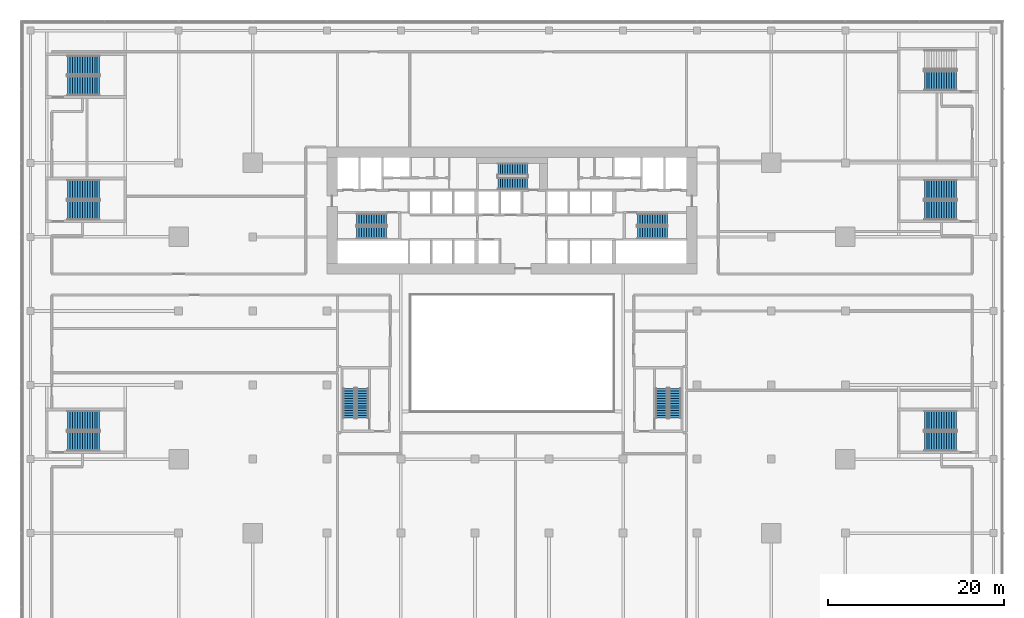
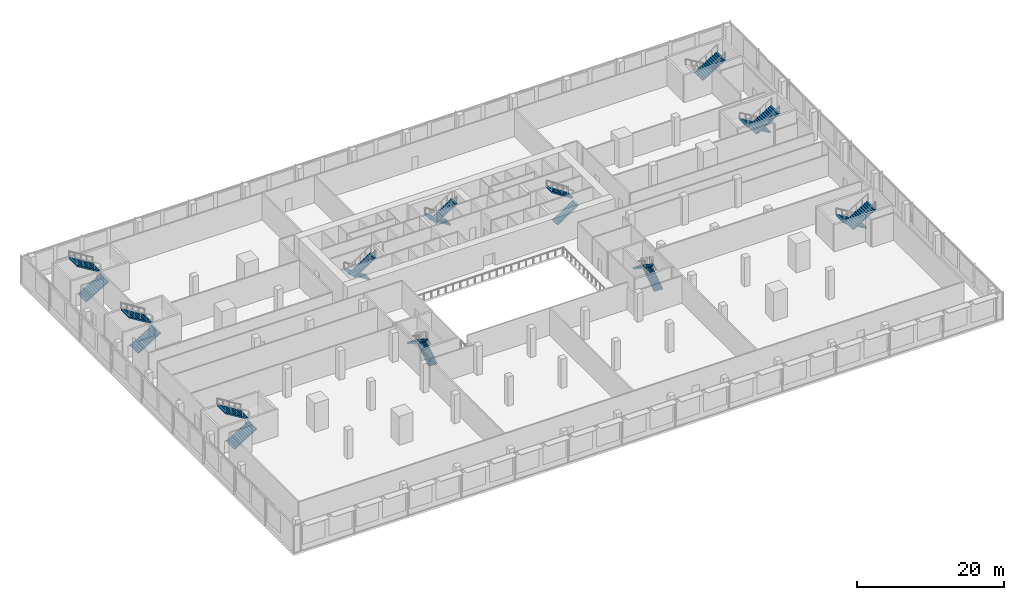
# One storey, part 35 of 39: 21 stair flights, 11 elements without a shape of their own.
"""IFC4 building model written with IfcOpenShell, lengths in metres."""

from ifc_helpers import new_model, si_unit, direction, frame, origin, place, context, subcontext, project, spatial, polyline, outline, extrude, material, type_object, element, aggregate, save


model = new_model("IFC4")

# Units and contexts
model_context = context("Model", 3, precision=1e-05, world=origin(), true_north=direction((0.0, 1.0)))
body_context = subcontext(model_context, "Body", "Model", "MODEL_VIEW")
ifc_project = project(units=[si_unit("LENGTHUNIT", "METRE"), si_unit("AREAUNIT", "SQUARE_METRE"), si_unit("VOLUMEUNIT", "CUBIC_METRE"), si_unit("PLANEANGLEUNIT", "RADIAN"), si_unit("MASSUNIT", "GRAM", prefix="KILO")], contexts=[model_context])

# Site, building, storey
site_placement = place(None, origin())
site = spatial("IfcSite", under=ifc_project, at=site_placement, CompositionType="ELEMENT")
building_placement = place(site_placement, origin())
building = spatial("IfcBuilding", under=site, at=building_placement, Name="Saffron Gate Tower", CompositionType="ELEMENT")
storey_placement = place(building_placement, frame((0.0, 0.0, 14.39990234375)))
storey = spatial("IfcBuildingStorey", under=building, at=storey_placement, Name="L02", CompositionType="ELEMENT", Elevation=14.39990234375)

# Stair, stair flights
ifc_material = material(Name="Concrete C40", Category="concrete")
stair_type_1 = type_object("IfcStairType", Name="ST5 Stair 1350 wide, 26 risers of 185", PredefinedType="HALF_TURN_STAIR", material=ifc_material)
stair_1_placement = place(storey_placement, origin())
stair_1 = element("IfcStair", 1, at=stair_1_placement, inside=storey, type_object=stair_type_1, Name="L02 Exit stair A", PredefinedType="HALF_TURN_STAIR")
stair_flight_type_1 = type_object("IfcStairFlightType", Name="SF4 Stair flight 1350 wide, riser 185 going 280", PredefinedType="STRAIGHT", material=ifc_material)
stair_flight_1_placement = place(storey_placement, frame((73.35009765625, 67.375, 0.0), z_axis=(0.0, 0.0, 1.0), x_axis=(-1.0, 0.0, 0.0)))
stair_flight_1 = element("IfcStairFlight", 2, at=stair_flight_1_placement, type_object=stair_flight_type_1, Name="ST-A flight 1", NumberOfRisers=13, NumberOfTreads=12, PredefinedType="STRAIGHT", RiserHeight=0.184615385, TreadLength=0.28, context=body_context, shape_type="SweptSolid", body=[
    extrude(outline(polyline([(0.0, 0.0), (0.0, 0.1845703125), (0.280029296875, 0.1845703125), (0.280029296875, 0.369140625), (0.56005859375, 0.369140625), (0.56005859375, 0.553955078125), (0.840087890625, 0.553955078125), (0.840087890625, 0.738525390625), (1.1201171875, 0.738525390625), (1.1201171875, 0.923095703125), (1.39990234375, 0.923095703125), (1.39990234375, 1.107666015625), (1.679931640625, 1.107666015625), (1.679931640625, 1.292236328125), (1.9599609375, 1.292236328125), (1.9599609375, 1.476806640625), (2.239990234375, 1.476806640625), (2.239990234375, 1.66162109375), (2.52001953125, 1.66162109375), (2.52001953125, 1.84619140625), (2.800048828125, 1.84619140625), (2.800048828125, 2.03076171875), (3.080078125, 2.03076171875), (3.080078125, 2.21533203125), (3.360107421875, 2.21533203125), (3.360107421875, 2.39990234375), (3.360107421875, 2.035888671875), (0.272216796875, 0.0), (0.0, 0.0)])), frame((0.0, 0.675048828125, 0.0), z_axis=(0.0, -1.0, 0.0), x_axis=(1.0, 0.0, 0.0)), (0.0, 0.0, 1.0), 1.35009765625),
])
stair_flight_2_placement = place(storey_placement, frame((69.989990234375, 65.875, 2.400146484375), z_axis=(0.0, 0.0, 1.0), x_axis=(1.0, 0.0, 0.0)))
stair_flight_2 = element("IfcStairFlight", 3, at=stair_flight_2_placement, type_object=stair_flight_type_1, Name="ST-A flight 2", NumberOfRisers=13, NumberOfTreads=12, PredefinedType="STRAIGHT", RiserHeight=0.184615385, TreadLength=0.28, context=body_context, shape_type="SweptSolid", body=[
    extrude(outline(polyline([(0.0, 0.0), (0.0, 0.1845703125), (0.280029296875, 0.1845703125), (0.280029296875, 0.369140625), (0.56005859375, 0.369140625), (0.56005859375, 0.553955078125), (0.840087890625, 0.553955078125), (0.840087890625, 0.738525390625), (1.1201171875, 0.738525390625), (1.1201171875, 0.923095703125), (1.39990234375, 0.923095703125), (1.39990234375, 1.107666015625), (1.679931640625, 1.107666015625), (1.679931640625, 1.292236328125), (1.9599609375, 1.292236328125), (1.9599609375, 1.476806640625), (2.239990234375, 1.476806640625), (2.239990234375, 1.66162109375), (2.52001953125, 1.66162109375), (2.52001953125, 1.84619140625), (2.800048828125, 1.84619140625), (2.800048828125, 2.03076171875), (3.080078125, 2.03076171875), (3.080078125, 2.21533203125), (3.360107421875, 2.21533203125), (3.360107421875, 2.39990234375), (3.360107421875, 2.035888671875), (0.272216796875, 0.0), (0.0, 0.0)])), frame((0.0, 0.675048828125, 0.0), z_axis=(0.0, -1.0, 0.0), x_axis=(1.0, 0.0, 0.0)), (0.0, 0.0, 1.0), 1.35009765625),
])
aggregate(stair_1, [stair_flight_1, stair_flight_2])

stair_2_placement = place(storey_placement, origin())
stair_2 = element("IfcStair", 4, at=stair_2_placement, inside=storey, type_object=stair_type_1, Name="L02 Exit stair B", PredefinedType="HALF_TURN_STAIR")
stair_flight_3_placement = place(storey_placement, frame((101.85009765625, 65.875, 0.0), z_axis=(0.0, 0.0, 1.0), x_axis=(1.0, 0.0, 0.0)))
stair_flight_3 = element("IfcStairFlight", 5, at=stair_flight_3_placement, type_object=stair_flight_type_1, Name="ST-B flight 1", NumberOfRisers=13, NumberOfTreads=12, PredefinedType="STRAIGHT", RiserHeight=0.184615385, TreadLength=0.28, context=body_context, shape_type="SweptSolid", body=[
    extrude(outline(polyline([(0.0, 0.0), (0.0, 0.1845703125), (0.280029296875, 0.1845703125), (0.280029296875, 0.369140625), (0.56005859375, 0.369140625), (0.56005859375, 0.553955078125), (0.840087890625, 0.553955078125), (0.840087890625, 0.738525390625), (1.1201171875, 0.738525390625), (1.1201171875, 0.923095703125), (1.39990234375, 0.923095703125), (1.39990234375, 1.107666015625), (1.679931640625, 1.107666015625), (1.679931640625, 1.292236328125), (1.9599609375, 1.292236328125), (1.9599609375, 1.476806640625), (2.239990234375, 1.476806640625), (2.239990234375, 1.66162109375), (2.52001953125, 1.66162109375), (2.52001953125, 1.84619140625), (2.800048828125, 1.84619140625), (2.800048828125, 2.03076171875), (3.080078125, 2.03076171875), (3.080078125, 2.21533203125), (3.360107421875, 2.21533203125), (3.360107421875, 2.39990234375), (3.360107421875, 2.035888671875), (0.272216796875, 0.0), (0.0, 0.0)])), frame((0.0, 0.675048828125, 0.0), z_axis=(0.0, -1.0, 0.0), x_axis=(1.0, 0.0, 0.0)), (0.0, 0.0, 1.0), 1.35009765625),
])
stair_flight_4_placement = place(storey_placement, frame((105.2099609375, 67.375, 2.400146484375), z_axis=(0.0, 0.0, 1.0), x_axis=(-1.0, 0.0, 0.0)))
stair_flight_4 = element("IfcStairFlight", 6, at=stair_flight_4_placement, type_object=stair_flight_type_1, Name="ST-B flight 2", NumberOfRisers=13, NumberOfTreads=12, PredefinedType="STRAIGHT", RiserHeight=0.184615385, TreadLength=0.28, context=body_context, shape_type="SweptSolid", body=[
    extrude(outline(polyline([(0.0, 0.0), (0.0, 0.1845703125), (0.280029296875, 0.1845703125), (0.280029296875, 0.369140625), (0.56005859375, 0.369140625), (0.56005859375, 0.553955078125), (0.840087890625, 0.553955078125), (0.840087890625, 0.738525390625), (1.1201171875, 0.738525390625), (1.1201171875, 0.923095703125), (1.39990234375, 0.923095703125), (1.39990234375, 1.107666015625), (1.679931640625, 1.107666015625), (1.679931640625, 1.292236328125), (1.9599609375, 1.292236328125), (1.9599609375, 1.476806640625), (2.239990234375, 1.476806640625), (2.239990234375, 1.66162109375), (2.52001953125, 1.66162109375), (2.52001953125, 1.84619140625), (2.800048828125, 1.84619140625), (2.800048828125, 2.03076171875), (3.080078125, 2.03076171875), (3.080078125, 2.21533203125), (3.360107421875, 2.21533203125), (3.360107421875, 2.39990234375), (3.360107421875, 2.035888671875), (0.272216796875, 0.0), (0.0, 0.0)])), frame((0.0, 0.675048828125, 0.0), z_axis=(0.0, -1.0, 0.0), x_axis=(1.0, 0.0, 0.0)), (0.0, 0.0, 1.0), 1.35009765625),
])
aggregate(stair_2, [stair_flight_3, stair_flight_4])

stair_3_placement = place(storey_placement, origin())
stair_3 = element("IfcStair", 7, at=stair_3_placement, inside=storey, type_object=stair_type_1, Name="L02 Exit stair C", PredefinedType="HALF_TURN_STAIR")
stair_flight_5_placement = place(storey_placement, frame((89.35009765625, 73.074951171875, 0.0), z_axis=(0.0, 0.0, 1.0), x_axis=(-1.0, 0.0, 0.0)))
stair_flight_5 = element("IfcStairFlight", 8, at=stair_flight_5_placement, type_object=stair_flight_type_1, Name="ST-C flight 1", NumberOfRisers=13, NumberOfTreads=12, PredefinedType="STRAIGHT", RiserHeight=0.184615385, TreadLength=0.28, context=body_context, shape_type="SweptSolid", body=[
    extrude(outline(polyline([(0.0, 0.0), (0.0, 0.1845703125), (0.280029296875, 0.1845703125), (0.280029296875, 0.369140625), (0.56005859375, 0.369140625), (0.56005859375, 0.553955078125), (0.840087890625, 0.553955078125), (0.840087890625, 0.738525390625), (1.1201171875, 0.738525390625), (1.1201171875, 0.923095703125), (1.39990234375, 0.923095703125), (1.39990234375, 1.107666015625), (1.679931640625, 1.107666015625), (1.679931640625, 1.292236328125), (1.9599609375, 1.292236328125), (1.9599609375, 1.476806640625), (2.239990234375, 1.476806640625), (2.239990234375, 1.66162109375), (2.52001953125, 1.66162109375), (2.52001953125, 1.84619140625), (2.800048828125, 1.84619140625), (2.800048828125, 2.03076171875), (3.080078125, 2.03076171875), (3.080078125, 2.21533203125), (3.360107421875, 2.21533203125), (3.360107421875, 2.39990234375), (3.360107421875, 2.035888671875), (0.272216796875, 0.0), (0.0, 0.0)])), frame((0.0, 0.675048828125, 0.0), z_axis=(0.0, -1.0, 0.0), x_axis=(1.0, 0.0, 0.0)), (0.0, 0.0, 1.0), 1.35009765625),
])
stair_flight_6_placement = place(storey_placement, frame((85.989990234375, 71.47509765625, 2.400146484375), z_axis=(0.0, 0.0, 1.0), x_axis=(1.0, 0.0, 0.0)))
stair_flight_6 = element("IfcStairFlight", 9, at=stair_flight_6_placement, type_object=stair_flight_type_1, Name="ST-C flight 2", NumberOfRisers=13, NumberOfTreads=12, PredefinedType="STRAIGHT", RiserHeight=0.184615385, TreadLength=0.28, context=body_context, shape_type="SweptSolid", body=[
    extrude(outline(polyline([(0.0, 0.0), (0.0, 0.1845703125), (0.280029296875, 0.1845703125), (0.280029296875, 0.369140625), (0.56005859375, 0.369140625), (0.56005859375, 0.553955078125), (0.840087890625, 0.553955078125), (0.840087890625, 0.738525390625), (1.1201171875, 0.738525390625), (1.1201171875, 0.923095703125), (1.39990234375, 0.923095703125), (1.39990234375, 1.107666015625), (1.679931640625, 1.107666015625), (1.679931640625, 1.292236328125), (1.9599609375, 1.292236328125), (1.9599609375, 1.476806640625), (2.239990234375, 1.476806640625), (2.239990234375, 1.66162109375), (2.52001953125, 1.66162109375), (2.52001953125, 1.84619140625), (2.800048828125, 1.84619140625), (2.800048828125, 2.03076171875), (3.080078125, 2.03076171875), (3.080078125, 2.21533203125), (3.360107421875, 2.21533203125), (3.360107421875, 2.39990234375), (3.360107421875, 2.035888671875), (0.272216796875, 0.0), (0.0, 0.0)])), frame((0.0, 0.675048828125, 0.0), z_axis=(0.0, -1.0, 0.0), x_axis=(1.0, 0.0, 0.0)), (0.0, 0.0, 1.0), 1.35009765625),
])
aggregate(stair_3, [stair_flight_5, stair_flight_6])

stair_4_placement = place(storey_placement, origin())
stair_4 = element("IfcStair", 10, at=stair_4_placement, inside=storey, type_object=stair_type_1, Name="L02 Exit stair D", PredefinedType="HALF_TURN_STAIR")
stair_flight_7_placement = place(storey_placement, frame((70.625, 44.85009765625, 0.0), z_axis=(0.0, 0.0, 1.0), x_axis=(0.0, 1.0, 0.0)))
stair_flight_7 = element("IfcStairFlight", 11, at=stair_flight_7_placement, type_object=stair_flight_type_1, Name="ST-D flight 1", NumberOfRisers=13, NumberOfTreads=12, PredefinedType="STRAIGHT", RiserHeight=0.184615385, TreadLength=0.28, context=body_context, shape_type="SweptSolid", body=[
    extrude(outline(polyline([(0.0, 0.0), (0.0, 0.1845703125), (0.280029296875, 0.1845703125), (0.280029296875, 0.369140625), (0.56005859375, 0.369140625), (0.56005859375, 0.553955078125), (0.840087890625, 0.553955078125), (0.840087890625, 0.738525390625), (1.1201171875, 0.738525390625), (1.1201171875, 0.923095703125), (1.39990234375, 0.923095703125), (1.39990234375, 1.107666015625), (1.679931640625, 1.107666015625), (1.679931640625, 1.292236328125), (1.9599609375, 1.292236328125), (1.9599609375, 1.476806640625), (2.239990234375, 1.476806640625), (2.239990234375, 1.66162109375), (2.52001953125, 1.66162109375), (2.52001953125, 1.84619140625), (2.800048828125, 1.84619140625), (2.800048828125, 2.03076171875), (3.080078125, 2.03076171875), (3.080078125, 2.21533203125), (3.360107421875, 2.21533203125), (3.360107421875, 2.39990234375), (3.360107421875, 2.035888671875), (0.272216796875, 0.0), (0.0, 0.0)])), frame((0.0, 0.675048828125, 0.0), z_axis=(0.0, -1.0, 0.0), x_axis=(1.0, 0.0, 0.0)), (0.0, 0.0, 1.0), 1.35009765625),
])
stair_flight_8_placement = place(storey_placement, frame((69.125, 48.2099609375, 2.400146484375), z_axis=(0.0, 0.0, 1.0), x_axis=(0.0, -1.0, 0.0)))
stair_flight_8 = element("IfcStairFlight", 12, at=stair_flight_8_placement, type_object=stair_flight_type_1, Name="ST-D flight 2", NumberOfRisers=13, NumberOfTreads=12, PredefinedType="STRAIGHT", RiserHeight=0.184615385, TreadLength=0.28, context=body_context, shape_type="SweptSolid", body=[
    extrude(outline(polyline([(0.0, 0.0), (0.0, 0.1845703125), (0.280029296875, 0.1845703125), (0.280029296875, 0.369140625), (0.56005859375, 0.369140625), (0.56005859375, 0.553955078125), (0.840087890625, 0.553955078125), (0.840087890625, 0.738525390625), (1.1201171875, 0.738525390625), (1.1201171875, 0.923095703125), (1.39990234375, 0.923095703125), (1.39990234375, 1.107666015625), (1.679931640625, 1.107666015625), (1.679931640625, 1.292236328125), (1.9599609375, 1.292236328125), (1.9599609375, 1.476806640625), (2.239990234375, 1.476806640625), (2.239990234375, 1.66162109375), (2.52001953125, 1.66162109375), (2.52001953125, 1.84619140625), (2.800048828125, 1.84619140625), (2.800048828125, 2.03076171875), (3.080078125, 2.03076171875), (3.080078125, 2.21533203125), (3.360107421875, 2.21533203125), (3.360107421875, 2.39990234375), (3.360107421875, 2.035888671875), (0.272216796875, 0.0), (0.0, 0.0)])), frame((0.0, 0.675048828125, 0.0), z_axis=(0.0, -1.0, 0.0), x_axis=(1.0, 0.0, 0.0)), (0.0, 0.0, 1.0), 1.35009765625),
])
aggregate(stair_4, [stair_flight_7, stair_flight_8])

stair_5_placement = place(storey_placement, origin())
stair_5 = element("IfcStair", 13, at=stair_5_placement, inside=storey, type_object=stair_type_1, Name="L02 Exit stair E", PredefinedType="HALF_TURN_STAIR")
stair_flight_9_placement = place(storey_placement, frame((106.074951171875, 44.85009765625, 0.0), z_axis=(0.0, 0.0, 1.0), x_axis=(0.0, 1.0, 0.0)))
stair_flight_9 = element("IfcStairFlight", 14, at=stair_flight_9_placement, type_object=stair_flight_type_1, Name="ST-E flight 1", NumberOfRisers=13, NumberOfTreads=12, PredefinedType="STRAIGHT", RiserHeight=0.184615385, TreadLength=0.28, context=body_context, shape_type="SweptSolid", body=[
    extrude(outline(polyline([(0.0, 0.0), (0.0, 0.1845703125), (0.280029296875, 0.1845703125), (0.280029296875, 0.369140625), (0.56005859375, 0.369140625), (0.56005859375, 0.553955078125), (0.840087890625, 0.553955078125), (0.840087890625, 0.738525390625), (1.1201171875, 0.738525390625), (1.1201171875, 0.923095703125), (1.39990234375, 0.923095703125), (1.39990234375, 1.107666015625), (1.679931640625, 1.107666015625), (1.679931640625, 1.292236328125), (1.9599609375, 1.292236328125), (1.9599609375, 1.476806640625), (2.239990234375, 1.476806640625), (2.239990234375, 1.66162109375), (2.52001953125, 1.66162109375), (2.52001953125, 1.84619140625), (2.800048828125, 1.84619140625), (2.800048828125, 2.03076171875), (3.080078125, 2.03076171875), (3.080078125, 2.21533203125), (3.360107421875, 2.21533203125), (3.360107421875, 2.39990234375), (3.360107421875, 2.035888671875), (0.272216796875, 0.0), (0.0, 0.0)])), frame((0.0, 0.675048828125, 0.0), z_axis=(0.0, -1.0, 0.0), x_axis=(1.0, 0.0, 0.0)), (0.0, 0.0, 1.0), 1.35009765625),
])
stair_flight_10_placement = place(storey_placement, frame((104.574951171875, 48.2099609375, 2.400146484375), z_axis=(0.0, 0.0, 1.0), x_axis=(0.0, -1.0, 0.0)))
stair_flight_10 = element("IfcStairFlight", 15, at=stair_flight_10_placement, type_object=stair_flight_type_1, Name="ST-E flight 2", NumberOfRisers=13, NumberOfTreads=12, PredefinedType="STRAIGHT", RiserHeight=0.184615385, TreadLength=0.28, context=body_context, shape_type="SweptSolid", body=[
    extrude(outline(polyline([(0.0, 0.0), (0.0, 0.1845703125), (0.280029296875, 0.1845703125), (0.280029296875, 0.369140625), (0.56005859375, 0.369140625), (0.56005859375, 0.553955078125), (0.840087890625, 0.553955078125), (0.840087890625, 0.738525390625), (1.1201171875, 0.738525390625), (1.1201171875, 0.923095703125), (1.39990234375, 0.923095703125), (1.39990234375, 1.107666015625), (1.679931640625, 1.107666015625), (1.679931640625, 1.292236328125), (1.9599609375, 1.292236328125), (1.9599609375, 1.476806640625), (2.239990234375, 1.476806640625), (2.239990234375, 1.66162109375), (2.52001953125, 1.66162109375), (2.52001953125, 1.84619140625), (2.800048828125, 1.84619140625), (2.800048828125, 2.03076171875), (3.080078125, 2.03076171875), (3.080078125, 2.21533203125), (3.360107421875, 2.21533203125), (3.360107421875, 2.39990234375), (3.360107421875, 2.035888671875), (0.272216796875, 0.0), (0.0, 0.0)])), frame((0.0, 0.675048828125, 0.0), z_axis=(0.0, -1.0, 0.0), x_axis=(1.0, 0.0, 0.0)), (0.0, 0.0, 1.0), 1.35009765625),
])
aggregate(stair_5, [stair_flight_9, stair_flight_10])

stair_type_2 = type_object("IfcStairType", Name="ST11 Stair 2200 wide, 28 risers of 171", PredefinedType="HALF_TURN_STAIR", material=ifc_material)
stair_6_placement = place(storey_placement, origin())
stair_6 = element("IfcStair", 16, at=stair_6_placement, inside=storey, type_object=stair_type_2, Name="L02 Exit stair F", PredefinedType="HALF_TURN_STAIR")
stair_flight_type_2 = type_object("IfcStairFlightType", Name="SF7 Stair flight 2200 wide, riser 171 going 280", PredefinedType="STRAIGHT", material=ifc_material)
stair_flight_11_placement = place(storey_placement, frame((37.199951171875, 82.52490234375, 0.0), z_axis=(0.0, 0.0, 1.0), x_axis=(1.0, 0.0, 0.0)))
stair_flight_11 = element("IfcStairFlight", 17, at=stair_flight_11_placement, type_object=stair_flight_type_2, Name="ST-F flight 1", NumberOfRisers=14, NumberOfTreads=13, PredefinedType="STRAIGHT", RiserHeight=0.171428571, TreadLength=0.28, context=body_context, shape_type="SweptSolid", body=[
    extrude(outline(polyline([(0.0, 0.0), (0.0, 0.17138671875), (0.280029296875, 0.17138671875), (0.280029296875, 0.3427734375), (0.56005859375, 0.3427734375), (0.56005859375, 0.514404296875), (0.840087890625, 0.514404296875), (0.840087890625, 0.685791015625), (1.1201171875, 0.685791015625), (1.1201171875, 0.857177734375), (1.39990234375, 0.857177734375), (1.39990234375, 1.028564453125), (1.679931640625, 1.028564453125), (1.679931640625, 1.199951171875), (1.9599609375, 1.199951171875), (1.9599609375, 1.371337890625), (2.239990234375, 1.371337890625), (2.239990234375, 1.54296875), (2.52001953125, 1.54296875), (2.52001953125, 1.71435546875), (2.800048828125, 1.71435546875), (2.800048828125, 1.8857421875), (3.080078125, 1.8857421875), (3.080078125, 2.05712890625), (3.360107421875, 2.05712890625), (3.360107421875, 2.228515625), (3.639892578125, 2.228515625), (3.639892578125, 2.39990234375), (3.639892578125, 2.052734375), (0.287109375, 0.0), (0.0, 0.0)])), frame((0.0, 1.10009765625, 0.0), z_axis=(0.0, -1.0, 0.0), x_axis=(1.0, 0.0, 0.0)), (0.0, 0.0, 1.0), 2.199951171875),
])
stair_flight_12_placement = place(storey_placement, frame((40.840087890625, 84.875, 2.400146484375), z_axis=(0.0, 0.0, 1.0), x_axis=(-1.0, 0.0, 0.0)))
stair_flight_12 = element("IfcStairFlight", 18, at=stair_flight_12_placement, type_object=stair_flight_type_2, Name="ST-F flight 2", NumberOfRisers=14, NumberOfTreads=13, PredefinedType="STRAIGHT", RiserHeight=0.171428571, TreadLength=0.28, context=body_context, shape_type="SweptSolid", body=[
    extrude(outline(polyline([(0.0, 0.0), (0.0, 0.17138671875), (0.280029296875, 0.17138671875), (0.280029296875, 0.3427734375), (0.56005859375, 0.3427734375), (0.56005859375, 0.514404296875), (0.840087890625, 0.514404296875), (0.840087890625, 0.685791015625), (1.1201171875, 0.685791015625), (1.1201171875, 0.857177734375), (1.39990234375, 0.857177734375), (1.39990234375, 1.028564453125), (1.679931640625, 1.028564453125), (1.679931640625, 1.199951171875), (1.9599609375, 1.199951171875), (1.9599609375, 1.371337890625), (2.239990234375, 1.371337890625), (2.239990234375, 1.54296875), (2.52001953125, 1.54296875), (2.52001953125, 1.71435546875), (2.800048828125, 1.71435546875), (2.800048828125, 1.8857421875), (3.080078125, 1.8857421875), (3.080078125, 2.05712890625), (3.360107421875, 2.05712890625), (3.360107421875, 2.228515625), (3.639892578125, 2.228515625), (3.639892578125, 2.39990234375), (3.639892578125, 2.052734375), (0.287109375, 0.0), (0.0, 0.0)])), frame((0.0, 1.10009765625, 0.0), z_axis=(0.0, -1.0, 0.0), x_axis=(1.0, 0.0, 0.0)), (0.0, 0.0, 1.0), 2.199951171875),
])
aggregate(stair_6, [stair_flight_11, stair_flight_12])

stair_7_placement = place(storey_placement, origin())
stair_7 = element("IfcStair", 19, at=stair_7_placement, inside=storey, type_object=stair_type_2, Name="L02 Exit stair G", PredefinedType="HALF_TURN_STAIR")
stair_flight_13_placement = place(storey_placement, frame((37.199951171875, 68.425048828125, 0.0), z_axis=(0.0, 0.0, 1.0), x_axis=(1.0, 0.0, 0.0)))
stair_flight_13 = element("IfcStairFlight", 20, at=stair_flight_13_placement, type_object=stair_flight_type_2, Name="ST-G flight 1", NumberOfRisers=14, NumberOfTreads=13, PredefinedType="STRAIGHT", RiserHeight=0.171428571, TreadLength=0.28, context=body_context, shape_type="SweptSolid", body=[
    extrude(outline(polyline([(0.0, 0.0), (0.0, 0.17138671875), (0.280029296875, 0.17138671875), (0.280029296875, 0.3427734375), (0.56005859375, 0.3427734375), (0.56005859375, 0.514404296875), (0.840087890625, 0.514404296875), (0.840087890625, 0.685791015625), (1.1201171875, 0.685791015625), (1.1201171875, 0.857177734375), (1.39990234375, 0.857177734375), (1.39990234375, 1.028564453125), (1.679931640625, 1.028564453125), (1.679931640625, 1.199951171875), (1.9599609375, 1.199951171875), (1.9599609375, 1.371337890625), (2.239990234375, 1.371337890625), (2.239990234375, 1.54296875), (2.52001953125, 1.54296875), (2.52001953125, 1.71435546875), (2.800048828125, 1.71435546875), (2.800048828125, 1.8857421875), (3.080078125, 1.8857421875), (3.080078125, 2.05712890625), (3.360107421875, 2.05712890625), (3.360107421875, 2.228515625), (3.639892578125, 2.228515625), (3.639892578125, 2.39990234375), (3.639892578125, 2.052734375), (0.287109375, 0.0), (0.0, 0.0)])), frame((0.0, 1.10009765625, 0.0), z_axis=(0.0, -1.0, 0.0), x_axis=(1.0, 0.0, 0.0)), (0.0, 0.0, 1.0), 2.199951171875),
])
stair_flight_14_placement = place(storey_placement, frame((40.840087890625, 70.77490234375, 2.400146484375), z_axis=(0.0, 0.0, 1.0), x_axis=(-1.0, 0.0, 0.0)))
stair_flight_14 = element("IfcStairFlight", 21, at=stair_flight_14_placement, type_object=stair_flight_type_2, Name="ST-G flight 2", NumberOfRisers=14, NumberOfTreads=13, PredefinedType="STRAIGHT", RiserHeight=0.171428571, TreadLength=0.28, context=body_context, shape_type="SweptSolid", body=[
    extrude(outline(polyline([(0.0, 0.0), (0.0, 0.17138671875), (0.280029296875, 0.17138671875), (0.280029296875, 0.3427734375), (0.56005859375, 0.3427734375), (0.56005859375, 0.514404296875), (0.840087890625, 0.514404296875), (0.840087890625, 0.685791015625), (1.1201171875, 0.685791015625), (1.1201171875, 0.857177734375), (1.39990234375, 0.857177734375), (1.39990234375, 1.028564453125), (1.679931640625, 1.028564453125), (1.679931640625, 1.199951171875), (1.9599609375, 1.199951171875), (1.9599609375, 1.371337890625), (2.239990234375, 1.371337890625), (2.239990234375, 1.54296875), (2.52001953125, 1.54296875), (2.52001953125, 1.71435546875), (2.800048828125, 1.71435546875), (2.800048828125, 1.8857421875), (3.080078125, 1.8857421875), (3.080078125, 2.05712890625), (3.360107421875, 2.05712890625), (3.360107421875, 2.228515625), (3.639892578125, 2.228515625), (3.639892578125, 2.39990234375), (3.639892578125, 2.052734375), (0.287109375, 0.0), (0.0, 0.0)])), frame((0.0, 1.10009765625, 0.0), z_axis=(0.0, -1.0, 0.0), x_axis=(1.0, 0.0, 0.0)), (0.0, 0.0, 1.0), 2.199951171875),
])
aggregate(stair_7, [stair_flight_13, stair_flight_14])

stair_8_placement = place(storey_placement, origin())
stair_8 = element("IfcStair", 22, at=stair_8_placement, inside=storey, type_object=stair_type_2, Name="L02 Exit stair H", PredefinedType="HALF_TURN_STAIR")
stair_flight_15_placement = place(storey_placement, frame((37.199951171875, 42.22509765625, 0.0), z_axis=(0.0, 0.0, 1.0), x_axis=(1.0, 0.0, 0.0)))
stair_flight_15 = element("IfcStairFlight", 23, at=stair_flight_15_placement, type_object=stair_flight_type_2, Name="ST-H flight 1", NumberOfRisers=14, NumberOfTreads=13, PredefinedType="STRAIGHT", RiserHeight=0.171428571, TreadLength=0.28, context=body_context, shape_type="SweptSolid", body=[
    extrude(outline(polyline([(0.0, 0.0), (0.0, 0.17138671875), (0.280029296875, 0.17138671875), (0.280029296875, 0.3427734375), (0.56005859375, 0.3427734375), (0.56005859375, 0.514404296875), (0.840087890625, 0.514404296875), (0.840087890625, 0.685791015625), (1.1201171875, 0.685791015625), (1.1201171875, 0.857177734375), (1.39990234375, 0.857177734375), (1.39990234375, 1.028564453125), (1.679931640625, 1.028564453125), (1.679931640625, 1.199951171875), (1.9599609375, 1.199951171875), (1.9599609375, 1.371337890625), (2.239990234375, 1.371337890625), (2.239990234375, 1.54296875), (2.52001953125, 1.54296875), (2.52001953125, 1.71435546875), (2.800048828125, 1.71435546875), (2.800048828125, 1.8857421875), (3.080078125, 1.8857421875), (3.080078125, 2.05712890625), (3.360107421875, 2.05712890625), (3.360107421875, 2.228515625), (3.639892578125, 2.228515625), (3.639892578125, 2.39990234375), (3.639892578125, 2.052734375), (0.287109375, 0.0), (0.0, 0.0)])), frame((0.0, 1.10009765625, 0.0), z_axis=(0.0, -1.0, 0.0), x_axis=(1.0, 0.0, 0.0)), (0.0, 0.0, 1.0), 2.199951171875),
])
stair_flight_16_placement = place(storey_placement, frame((40.840087890625, 44.574951171875, 2.400146484375), z_axis=(0.0, 0.0, 1.0), x_axis=(-1.0, 0.0, 0.0)))
stair_flight_16 = element("IfcStairFlight", 24, at=stair_flight_16_placement, type_object=stair_flight_type_2, Name="ST-H flight 2", NumberOfRisers=14, NumberOfTreads=13, PredefinedType="STRAIGHT", RiserHeight=0.171428571, TreadLength=0.28, context=body_context, shape_type="SweptSolid", body=[
    extrude(outline(polyline([(0.0, 0.0), (0.0, 0.17138671875), (0.280029296875, 0.17138671875), (0.280029296875, 0.3427734375), (0.56005859375, 0.3427734375), (0.56005859375, 0.514404296875), (0.840087890625, 0.514404296875), (0.840087890625, 0.685791015625), (1.1201171875, 0.685791015625), (1.1201171875, 0.857177734375), (1.39990234375, 0.857177734375), (1.39990234375, 1.028564453125), (1.679931640625, 1.028564453125), (1.679931640625, 1.199951171875), (1.9599609375, 1.199951171875), (1.9599609375, 1.371337890625), (2.239990234375, 1.371337890625), (2.239990234375, 1.54296875), (2.52001953125, 1.54296875), (2.52001953125, 1.71435546875), (2.800048828125, 1.71435546875), (2.800048828125, 1.8857421875), (3.080078125, 1.8857421875), (3.080078125, 2.05712890625), (3.360107421875, 2.05712890625), (3.360107421875, 2.228515625), (3.639892578125, 2.228515625), (3.639892578125, 2.39990234375), (3.639892578125, 2.052734375), (0.287109375, 0.0), (0.0, 0.0)])), frame((0.0, 1.10009765625, 0.0), z_axis=(0.0, -1.0, 0.0), x_axis=(1.0, 0.0, 0.0)), (0.0, 0.0, 1.0), 2.199951171875),
])
aggregate(stair_8, [stair_flight_15, stair_flight_16])

# Stair, stair flight
stair_9_placement = place(storey_placement, origin())
stair_9 = element("IfcStair", 25, at=stair_9_placement, inside=storey, type_object=stair_type_2, Name="L02 Exit stair I", PredefinedType="HALF_TURN_STAIR")
stair_flight_17_placement = place(storey_placement, frame((134.360107421875, 83.125, 2.400146484375), z_axis=(0.0, 0.0, 1.0), x_axis=(1.0, 0.0, 0.0)))
stair_flight_17 = element("IfcStairFlight", 26, at=stair_flight_17_placement, type_object=stair_flight_type_2, Name="ST-I flight 2", NumberOfRisers=14, NumberOfTreads=13, PredefinedType="STRAIGHT", RiserHeight=0.171428571, TreadLength=0.28, context=body_context, shape_type="SweptSolid", body=[
    extrude(outline(polyline([(0.0, 0.0), (0.0, 0.17138671875), (0.280029296875, 0.17138671875), (0.280029296875, 0.3427734375), (0.56005859375, 0.3427734375), (0.56005859375, 0.514404296875), (0.840087890625, 0.514404296875), (0.840087890625, 0.685791015625), (1.1201171875, 0.685791015625), (1.1201171875, 0.857177734375), (1.39990234375, 0.857177734375), (1.39990234375, 1.028564453125), (1.679931640625, 1.028564453125), (1.679931640625, 1.199951171875), (1.9599609375, 1.199951171875), (1.9599609375, 1.371337890625), (2.239990234375, 1.371337890625), (2.239990234375, 1.54296875), (2.52001953125, 1.54296875), (2.52001953125, 1.71435546875), (2.800048828125, 1.71435546875), (2.800048828125, 1.8857421875), (3.080078125, 1.8857421875), (3.080078125, 2.05712890625), (3.360107421875, 2.05712890625), (3.360107421875, 2.228515625), (3.639892578125, 2.228515625), (3.639892578125, 2.39990234375), (3.639892578125, 2.052734375), (0.287109375, 0.0), (0.0, 0.0)])), frame((0.0, 1.10009765625, 0.0), z_axis=(0.0, -1.0, 0.0), x_axis=(1.0, 0.0, 0.0)), (0.0, 0.0, 1.0), 2.199951171875),
])
aggregate(stair_9, [stair_flight_17])

# Stair, stair flights
stair_10_placement = place(storey_placement, origin())
stair_10 = element("IfcStair", 27, at=stair_10_placement, inside=storey, type_object=stair_type_2, Name="L02 Exit stair J", PredefinedType="HALF_TURN_STAIR")
stair_flight_18_placement = place(storey_placement, frame((138.0, 70.77490234375, 0.0), z_axis=(0.0, 0.0, 1.0), x_axis=(-1.0, 0.0, 0.0)))
stair_flight_18 = element("IfcStairFlight", 28, at=stair_flight_18_placement, type_object=stair_flight_type_2, Name="ST-J flight 1", NumberOfRisers=14, NumberOfTreads=13, PredefinedType="STRAIGHT", RiserHeight=0.171428571, TreadLength=0.28, context=body_context, shape_type="SweptSolid", body=[
    extrude(outline(polyline([(0.0, 0.0), (0.0, 0.17138671875), (0.280029296875, 0.17138671875), (0.280029296875, 0.3427734375), (0.56005859375, 0.3427734375), (0.56005859375, 0.514404296875), (0.840087890625, 0.514404296875), (0.840087890625, 0.685791015625), (1.1201171875, 0.685791015625), (1.1201171875, 0.857177734375), (1.39990234375, 0.857177734375), (1.39990234375, 1.028564453125), (1.679931640625, 1.028564453125), (1.679931640625, 1.199951171875), (1.9599609375, 1.199951171875), (1.9599609375, 1.371337890625), (2.239990234375, 1.371337890625), (2.239990234375, 1.54296875), (2.52001953125, 1.54296875), (2.52001953125, 1.71435546875), (2.800048828125, 1.71435546875), (2.800048828125, 1.8857421875), (3.080078125, 1.8857421875), (3.080078125, 2.05712890625), (3.360107421875, 2.05712890625), (3.360107421875, 2.228515625), (3.639892578125, 2.228515625), (3.639892578125, 2.39990234375), (3.639892578125, 2.052734375), (0.287109375, 0.0), (0.0, 0.0)])), frame((0.0, 1.10009765625, 0.0), z_axis=(0.0, -1.0, 0.0), x_axis=(1.0, 0.0, 0.0)), (0.0, 0.0, 1.0), 2.199951171875),
])
stair_flight_19_placement = place(storey_placement, frame((134.360107421875, 68.425048828125, 2.400146484375), z_axis=(0.0, 0.0, 1.0), x_axis=(1.0, 0.0, 0.0)))
stair_flight_19 = element("IfcStairFlight", 29, at=stair_flight_19_placement, type_object=stair_flight_type_2, Name="ST-J flight 2", NumberOfRisers=14, NumberOfTreads=13, PredefinedType="STRAIGHT", RiserHeight=0.171428571, TreadLength=0.28, context=body_context, shape_type="SweptSolid", body=[
    extrude(outline(polyline([(0.0, 0.0), (0.0, 0.17138671875), (0.280029296875, 0.17138671875), (0.280029296875, 0.3427734375), (0.56005859375, 0.3427734375), (0.56005859375, 0.514404296875), (0.840087890625, 0.514404296875), (0.840087890625, 0.685791015625), (1.1201171875, 0.685791015625), (1.1201171875, 0.857177734375), (1.39990234375, 0.857177734375), (1.39990234375, 1.028564453125), (1.679931640625, 1.028564453125), (1.679931640625, 1.199951171875), (1.9599609375, 1.199951171875), (1.9599609375, 1.371337890625), (2.239990234375, 1.371337890625), (2.239990234375, 1.54296875), (2.52001953125, 1.54296875), (2.52001953125, 1.71435546875), (2.800048828125, 1.71435546875), (2.800048828125, 1.8857421875), (3.080078125, 1.8857421875), (3.080078125, 2.05712890625), (3.360107421875, 2.05712890625), (3.360107421875, 2.228515625), (3.639892578125, 2.228515625), (3.639892578125, 2.39990234375), (3.639892578125, 2.052734375), (0.287109375, 0.0), (0.0, 0.0)])), frame((0.0, 1.10009765625, 0.0), z_axis=(0.0, -1.0, 0.0), x_axis=(1.0, 0.0, 0.0)), (0.0, 0.0, 1.0), 2.199951171875),
])
aggregate(stair_10, [stair_flight_18, stair_flight_19])

stair_11_placement = place(storey_placement, origin())
stair_11 = element("IfcStair", 30, at=stair_11_placement, inside=storey, type_object=stair_type_2, Name="L02 Exit stair K", PredefinedType="HALF_TURN_STAIR")
stair_flight_20_placement = place(storey_placement, frame((138.0, 44.574951171875, 0.0), z_axis=(0.0, 0.0, 1.0), x_axis=(-1.0, 0.0, 0.0)))
stair_flight_20 = element("IfcStairFlight", 31, at=stair_flight_20_placement, type_object=stair_flight_type_2, Name="ST-K flight 1", NumberOfRisers=14, NumberOfTreads=13, PredefinedType="STRAIGHT", RiserHeight=0.171428571, TreadLength=0.28, context=body_context, shape_type="SweptSolid", body=[
    extrude(outline(polyline([(0.0, 0.0), (0.0, 0.17138671875), (0.280029296875, 0.17138671875), (0.280029296875, 0.3427734375), (0.56005859375, 0.3427734375), (0.56005859375, 0.514404296875), (0.840087890625, 0.514404296875), (0.840087890625, 0.685791015625), (1.1201171875, 0.685791015625), (1.1201171875, 0.857177734375), (1.39990234375, 0.857177734375), (1.39990234375, 1.028564453125), (1.679931640625, 1.028564453125), (1.679931640625, 1.199951171875), (1.9599609375, 1.199951171875), (1.9599609375, 1.371337890625), (2.239990234375, 1.371337890625), (2.239990234375, 1.54296875), (2.52001953125, 1.54296875), (2.52001953125, 1.71435546875), (2.800048828125, 1.71435546875), (2.800048828125, 1.8857421875), (3.080078125, 1.8857421875), (3.080078125, 2.05712890625), (3.360107421875, 2.05712890625), (3.360107421875, 2.228515625), (3.639892578125, 2.228515625), (3.639892578125, 2.39990234375), (3.639892578125, 2.052734375), (0.287109375, 0.0), (0.0, 0.0)])), frame((0.0, 1.10009765625, 0.0), z_axis=(0.0, -1.0, 0.0), x_axis=(1.0, 0.0, 0.0)), (0.0, 0.0, 1.0), 2.199951171875),
])
stair_flight_21_placement = place(storey_placement, frame((134.360107421875, 42.22509765625, 2.400146484375), z_axis=(0.0, 0.0, 1.0), x_axis=(1.0, 0.0, 0.0)))
stair_flight_21 = element("IfcStairFlight", 32, at=stair_flight_21_placement, type_object=stair_flight_type_2, Name="ST-K flight 2", NumberOfRisers=14, NumberOfTreads=13, PredefinedType="STRAIGHT", RiserHeight=0.171428571, TreadLength=0.28, context=body_context, shape_type="SweptSolid", body=[
    extrude(outline(polyline([(0.0, 0.0), (0.0, 0.17138671875), (0.280029296875, 0.17138671875), (0.280029296875, 0.3427734375), (0.56005859375, 0.3427734375), (0.56005859375, 0.514404296875), (0.840087890625, 0.514404296875), (0.840087890625, 0.685791015625), (1.1201171875, 0.685791015625), (1.1201171875, 0.857177734375), (1.39990234375, 0.857177734375), (1.39990234375, 1.028564453125), (1.679931640625, 1.028564453125), (1.679931640625, 1.199951171875), (1.9599609375, 1.199951171875), (1.9599609375, 1.371337890625), (2.239990234375, 1.371337890625), (2.239990234375, 1.54296875), (2.52001953125, 1.54296875), (2.52001953125, 1.71435546875), (2.800048828125, 1.71435546875), (2.800048828125, 1.8857421875), (3.080078125, 1.8857421875), (3.080078125, 2.05712890625), (3.360107421875, 2.05712890625), (3.360107421875, 2.228515625), (3.639892578125, 2.228515625), (3.639892578125, 2.39990234375), (3.639892578125, 2.052734375), (0.287109375, 0.0), (0.0, 0.0)])), frame((0.0, 1.10009765625, 0.0), z_axis=(0.0, -1.0, 0.0), x_axis=(1.0, 0.0, 0.0)), (0.0, 0.0, 1.0), 2.199951171875),
])
aggregate(stair_11, [stair_flight_20, stair_flight_21])

save(model, "model.ifc")
